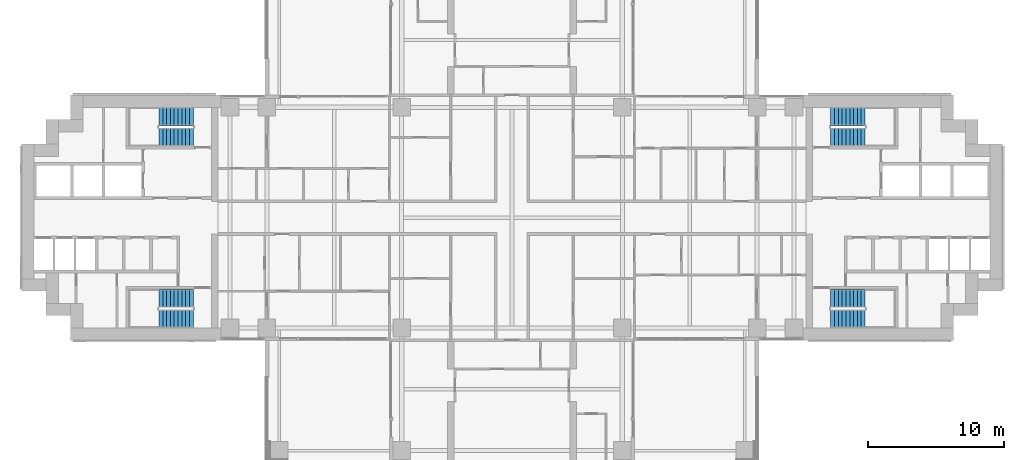
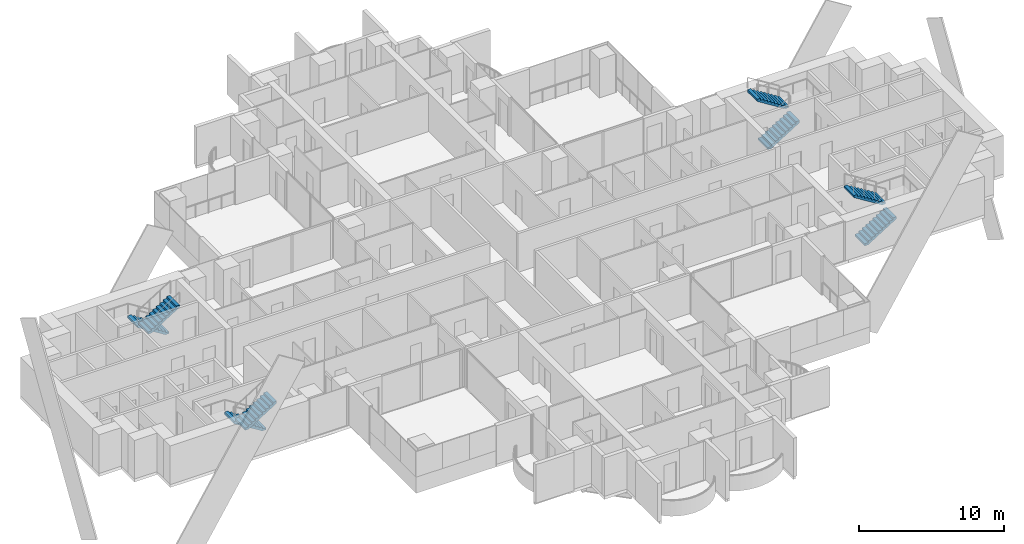
# One storey, part 18 of 23: 8 stair flights, 4 elements without a shape of their own.
"""IFC4 building model written with IfcOpenShell, lengths in metres."""

from ifc_helpers import new_model, si_unit, direction, frame, origin, place, context, subcontext, project, spatial, polyline, outline, extrude, material, type_object, element, aggregate, save


model = new_model("IFC4")

# Units and contexts
model_context = context("Model", 3, precision=1e-05, world=origin(), true_north=direction((0.0, 1.0)))
body_context = subcontext(model_context, "Body", "Model", "MODEL_VIEW")
ifc_project = project(units=[si_unit("LENGTHUNIT", "METRE"), si_unit("AREAUNIT", "SQUARE_METRE"), si_unit("VOLUMEUNIT", "CUBIC_METRE"), si_unit("PLANEANGLEUNIT", "RADIAN"), si_unit("MASSUNIT", "GRAM", prefix="KILO")], contexts=[model_context])

# Site, building, storey
site_placement = place(None, origin())
site = spatial("IfcSite", under=ifc_project, at=site_placement, CompositionType="ELEMENT")
building_placement = place(site_placement, origin())
building = spatial("IfcBuilding", under=site, at=building_placement, Name="Perihelion Cross Residences", CompositionType="ELEMENT")
storey_placement = place(building_placement, frame((0.0, 0.0, 85.5)))
storey = spatial("IfcBuildingStorey", under=building, at=storey_placement, Name="L19", CompositionType="ELEMENT", Elevation=85.5)

# Stair, stair flights
ifc_material_1 = material(Name="Concrete C40/50", Category="concrete")
stair_type = type_object("IfcStairType", Name="Exit stair, half-turn", PredefinedType="HALF_TURN_STAIR", material=ifc_material_1)
stair_1_placement = place(storey_placement, origin())
stair_1 = element("IfcStair", 1, at=stair_1_placement, inside=storey, type_object=stair_type, Name="L19 East core exit stair 1", PredefinedType="HALF_TURN_STAIR")
ifc_material_2 = material(Name="Concrete C40/50", Category="concrete")
stair_flight_type = type_object("IfcStairFlightType", Name="Exit stair flight", PredefinedType="STRAIGHT", material=ifc_material_2)
stair_flight_1_placement = place(storey_placement, frame((23.39990234375, 5.925048828125, 0.0), z_axis=(0.0, 0.0, 1.0), x_axis=(1.0, 0.0, 0.0)))
stair_flight_1 = element("IfcStairFlight", 2, at=stair_flight_1_placement, type_object=stair_flight_type, Name="ST-E1 flight 1", NumberOfRisers=10, NumberOfTreads=9, PredefinedType="STRAIGHT", RiserHeight=0.175, TreadLength=0.28, context=body_context, shape_type="SweptSolid", body=[
    extrude(outline(polyline([(0.0, 0.0), (0.0, 0.175048828125), (0.280029296875, 0.175048828125), (0.280029296875, 0.35009765625), (0.56005859375, 0.35009765625), (0.56005859375, 0.52490234375), (0.840087890625, 0.52490234375), (0.840087890625, 0.699951171875), (1.1201171875, 0.699951171875), (1.1201171875, 0.875), (1.39990234375, 0.875), (1.39990234375, 1.050048828125), (1.679931640625, 1.050048828125), (1.679931640625, 1.22509765625), (1.9599609375, 1.22509765625), (1.9599609375, 1.39990234375), (2.239990234375, 1.39990234375), (2.239990234375, 1.574951171875), (2.52001953125, 1.574951171875), (2.52001953125, 1.75), (2.52001953125, 1.398193359375), (0.28271484375, 0.0), (0.0, 0.0)])), frame((0.0, 0.675048828125, 0.0), z_axis=(0.0, -1.0, 0.0), x_axis=(1.0, 0.0, 0.0)), (0.0, 0.0, 1.0), 1.35009765625),
])
stair_flight_2_placement = place(storey_placement, frame((25.919921875, 7.425048828125, 1.75), z_axis=(0.0, 0.0, 1.0), x_axis=(-1.0, 0.0, 0.0)))
stair_flight_2 = element("IfcStairFlight", 3, at=stair_flight_2_placement, type_object=stair_flight_type, Name="ST-E1 flight 2", NumberOfRisers=10, NumberOfTreads=9, PredefinedType="STRAIGHT", RiserHeight=0.175, TreadLength=0.28, context=body_context, shape_type="SweptSolid", body=[
    extrude(outline(polyline([(0.0, 0.0), (0.0, 0.175048828125), (0.280029296875, 0.175048828125), (0.280029296875, 0.35009765625), (0.56005859375, 0.35009765625), (0.56005859375, 0.52490234375), (0.840087890625, 0.52490234375), (0.840087890625, 0.699951171875), (1.1201171875, 0.699951171875), (1.1201171875, 0.875), (1.39990234375, 0.875), (1.39990234375, 1.050048828125), (1.679931640625, 1.050048828125), (1.679931640625, 1.22509765625), (1.9599609375, 1.22509765625), (1.9599609375, 1.39990234375), (2.239990234375, 1.39990234375), (2.239990234375, 1.574951171875), (2.52001953125, 1.574951171875), (2.52001953125, 1.75), (2.52001953125, 1.398193359375), (0.28271484375, 0.0), (0.0, 0.0)])), frame((0.0, 0.675048828125, 0.0), z_axis=(0.0, -1.0, 0.0), x_axis=(1.0, 0.0, 0.0)), (0.0, 0.0, 1.0), 1.35009765625),
])
aggregate(stair_1, [stair_flight_1, stair_flight_2])

stair_2_placement = place(storey_placement, origin())
stair_2 = element("IfcStair", 4, at=stair_2_placement, inside=storey, type_object=stair_type, Name="L19 East core exit stair 2", PredefinedType="HALF_TURN_STAIR")
stair_flight_3_placement = place(storey_placement, frame((23.39990234375, -7.425048828125, 0.0), z_axis=(0.0, 0.0, 1.0), x_axis=(1.0, 0.0, 0.0)))
stair_flight_3 = element("IfcStairFlight", 5, at=stair_flight_3_placement, type_object=stair_flight_type, Name="ST-E2 flight 1", NumberOfRisers=10, NumberOfTreads=9, PredefinedType="STRAIGHT", RiserHeight=0.175, TreadLength=0.28, context=body_context, shape_type="SweptSolid", body=[
    extrude(outline(polyline([(0.0, 0.0), (0.0, 0.175048828125), (0.280029296875, 0.175048828125), (0.280029296875, 0.35009765625), (0.56005859375, 0.35009765625), (0.56005859375, 0.52490234375), (0.840087890625, 0.52490234375), (0.840087890625, 0.699951171875), (1.1201171875, 0.699951171875), (1.1201171875, 0.875), (1.39990234375, 0.875), (1.39990234375, 1.050048828125), (1.679931640625, 1.050048828125), (1.679931640625, 1.22509765625), (1.9599609375, 1.22509765625), (1.9599609375, 1.39990234375), (2.239990234375, 1.39990234375), (2.239990234375, 1.574951171875), (2.52001953125, 1.574951171875), (2.52001953125, 1.75), (2.52001953125, 1.398193359375), (0.28271484375, 0.0), (0.0, 0.0)])), frame((0.0, 0.675048828125, 0.0), z_axis=(0.0, -1.0, 0.0), x_axis=(1.0, 0.0, 0.0)), (0.0, 0.0, 1.0), 1.35009765625),
])
stair_flight_4_placement = place(storey_placement, frame((25.919921875, -5.925048828125, 1.75), z_axis=(0.0, 0.0, 1.0), x_axis=(-1.0, 0.0, 0.0)))
stair_flight_4 = element("IfcStairFlight", 6, at=stair_flight_4_placement, type_object=stair_flight_type, Name="ST-E2 flight 2", NumberOfRisers=10, NumberOfTreads=9, PredefinedType="STRAIGHT", RiserHeight=0.175, TreadLength=0.28, context=body_context, shape_type="SweptSolid", body=[
    extrude(outline(polyline([(0.0, 0.0), (0.0, 0.175048828125), (0.280029296875, 0.175048828125), (0.280029296875, 0.35009765625), (0.56005859375, 0.35009765625), (0.56005859375, 0.52490234375), (0.840087890625, 0.52490234375), (0.840087890625, 0.699951171875), (1.1201171875, 0.699951171875), (1.1201171875, 0.875), (1.39990234375, 0.875), (1.39990234375, 1.050048828125), (1.679931640625, 1.050048828125), (1.679931640625, 1.22509765625), (1.9599609375, 1.22509765625), (1.9599609375, 1.39990234375), (2.239990234375, 1.39990234375), (2.239990234375, 1.574951171875), (2.52001953125, 1.574951171875), (2.52001953125, 1.75), (2.52001953125, 1.398193359375), (0.28271484375, 0.0), (0.0, 0.0)])), frame((0.0, 0.675048828125, 0.0), z_axis=(0.0, -1.0, 0.0), x_axis=(1.0, 0.0, 0.0)), (0.0, 0.0, 1.0), 1.35009765625),
])
aggregate(stair_2, [stair_flight_3, stair_flight_4])

stair_3_placement = place(storey_placement, origin())
stair_3 = element("IfcStair", 7, at=stair_3_placement, inside=storey, type_object=stair_type, Name="L19 West core exit stair 1", PredefinedType="HALF_TURN_STAIR")
stair_flight_5_placement = place(storey_placement, frame((-23.39990234375, 7.425048828125, 0.0), z_axis=(0.0, 0.0, 1.0), x_axis=(-1.0, 0.0, 0.0)))
stair_flight_5 = element("IfcStairFlight", 8, at=stair_flight_5_placement, type_object=stair_flight_type, Name="ST-W1 flight 1", NumberOfRisers=10, NumberOfTreads=9, PredefinedType="STRAIGHT", RiserHeight=0.175, TreadLength=0.28, context=body_context, shape_type="SweptSolid", body=[
    extrude(outline(polyline([(0.0, 0.0), (0.0, 0.175048828125), (0.280029296875, 0.175048828125), (0.280029296875, 0.35009765625), (0.56005859375, 0.35009765625), (0.56005859375, 0.52490234375), (0.840087890625, 0.52490234375), (0.840087890625, 0.699951171875), (1.1201171875, 0.699951171875), (1.1201171875, 0.875), (1.39990234375, 0.875), (1.39990234375, 1.050048828125), (1.679931640625, 1.050048828125), (1.679931640625, 1.22509765625), (1.9599609375, 1.22509765625), (1.9599609375, 1.39990234375), (2.239990234375, 1.39990234375), (2.239990234375, 1.574951171875), (2.52001953125, 1.574951171875), (2.52001953125, 1.75), (2.52001953125, 1.398193359375), (0.28271484375, 0.0), (0.0, 0.0)])), frame((0.0, 0.675048828125, 0.0), z_axis=(0.0, -1.0, 0.0), x_axis=(1.0, 0.0, 0.0)), (0.0, 0.0, 1.0), 1.35009765625),
])
stair_flight_6_placement = place(storey_placement, frame((-25.919921875, 5.925048828125, 1.75), z_axis=(0.0, 0.0, 1.0), x_axis=(1.0, 0.0, 0.0)))
stair_flight_6 = element("IfcStairFlight", 9, at=stair_flight_6_placement, type_object=stair_flight_type, Name="ST-W1 flight 2", NumberOfRisers=10, NumberOfTreads=9, PredefinedType="STRAIGHT", RiserHeight=0.175, TreadLength=0.28, context=body_context, shape_type="SweptSolid", body=[
    extrude(outline(polyline([(0.0, 0.0), (0.0, 0.175048828125), (0.280029296875, 0.175048828125), (0.280029296875, 0.35009765625), (0.56005859375, 0.35009765625), (0.56005859375, 0.52490234375), (0.840087890625, 0.52490234375), (0.840087890625, 0.699951171875), (1.1201171875, 0.699951171875), (1.1201171875, 0.875), (1.39990234375, 0.875), (1.39990234375, 1.050048828125), (1.679931640625, 1.050048828125), (1.679931640625, 1.22509765625), (1.9599609375, 1.22509765625), (1.9599609375, 1.39990234375), (2.239990234375, 1.39990234375), (2.239990234375, 1.574951171875), (2.52001953125, 1.574951171875), (2.52001953125, 1.75), (2.52001953125, 1.398193359375), (0.28271484375, 0.0), (0.0, 0.0)])), frame((0.0, 0.675048828125, 0.0), z_axis=(0.0, -1.0, 0.0), x_axis=(1.0, 0.0, 0.0)), (0.0, 0.0, 1.0), 1.35009765625),
])
aggregate(stair_3, [stair_flight_5, stair_flight_6])

stair_4_placement = place(storey_placement, origin())
stair_4 = element("IfcStair", 10, at=stair_4_placement, inside=storey, type_object=stair_type, Name="L19 West core exit stair 2", PredefinedType="HALF_TURN_STAIR")
stair_flight_7_placement = place(storey_placement, frame((-23.39990234375, -5.925048828125, 0.0), z_axis=(0.0, 0.0, 1.0), x_axis=(-1.0, 0.0, 0.0)))
stair_flight_7 = element("IfcStairFlight", 11, at=stair_flight_7_placement, type_object=stair_flight_type, Name="ST-W2 flight 1", NumberOfRisers=10, NumberOfTreads=9, PredefinedType="STRAIGHT", RiserHeight=0.175, TreadLength=0.28, context=body_context, shape_type="SweptSolid", body=[
    extrude(outline(polyline([(0.0, 0.0), (0.0, 0.175048828125), (0.280029296875, 0.175048828125), (0.280029296875, 0.35009765625), (0.56005859375, 0.35009765625), (0.56005859375, 0.52490234375), (0.840087890625, 0.52490234375), (0.840087890625, 0.699951171875), (1.1201171875, 0.699951171875), (1.1201171875, 0.875), (1.39990234375, 0.875), (1.39990234375, 1.050048828125), (1.679931640625, 1.050048828125), (1.679931640625, 1.22509765625), (1.9599609375, 1.22509765625), (1.9599609375, 1.39990234375), (2.239990234375, 1.39990234375), (2.239990234375, 1.574951171875), (2.52001953125, 1.574951171875), (2.52001953125, 1.75), (2.52001953125, 1.398193359375), (0.28271484375, 0.0), (0.0, 0.0)])), frame((0.0, 0.675048828125, 0.0), z_axis=(0.0, -1.0, 0.0), x_axis=(1.0, 0.0, 0.0)), (0.0, 0.0, 1.0), 1.35009765625),
])
stair_flight_8_placement = place(storey_placement, frame((-25.919921875, -7.425048828125, 1.75), z_axis=(0.0, 0.0, 1.0), x_axis=(1.0, 0.0, 0.0)))
stair_flight_8 = element("IfcStairFlight", 12, at=stair_flight_8_placement, type_object=stair_flight_type, Name="ST-W2 flight 2", NumberOfRisers=10, NumberOfTreads=9, PredefinedType="STRAIGHT", RiserHeight=0.175, TreadLength=0.28, context=body_context, shape_type="SweptSolid", body=[
    extrude(outline(polyline([(0.0, 0.0), (0.0, 0.175048828125), (0.280029296875, 0.175048828125), (0.280029296875, 0.35009765625), (0.56005859375, 0.35009765625), (0.56005859375, 0.52490234375), (0.840087890625, 0.52490234375), (0.840087890625, 0.699951171875), (1.1201171875, 0.699951171875), (1.1201171875, 0.875), (1.39990234375, 0.875), (1.39990234375, 1.050048828125), (1.679931640625, 1.050048828125), (1.679931640625, 1.22509765625), (1.9599609375, 1.22509765625), (1.9599609375, 1.39990234375), (2.239990234375, 1.39990234375), (2.239990234375, 1.574951171875), (2.52001953125, 1.574951171875), (2.52001953125, 1.75), (2.52001953125, 1.398193359375), (0.28271484375, 0.0), (0.0, 0.0)])), frame((0.0, 0.675048828125, 0.0), z_axis=(0.0, -1.0, 0.0), x_axis=(1.0, 0.0, 0.0)), (0.0, 0.0, 1.0), 1.35009765625),
])
aggregate(stair_4, [stair_flight_7, stair_flight_8])

save(model, "model.ifc")
